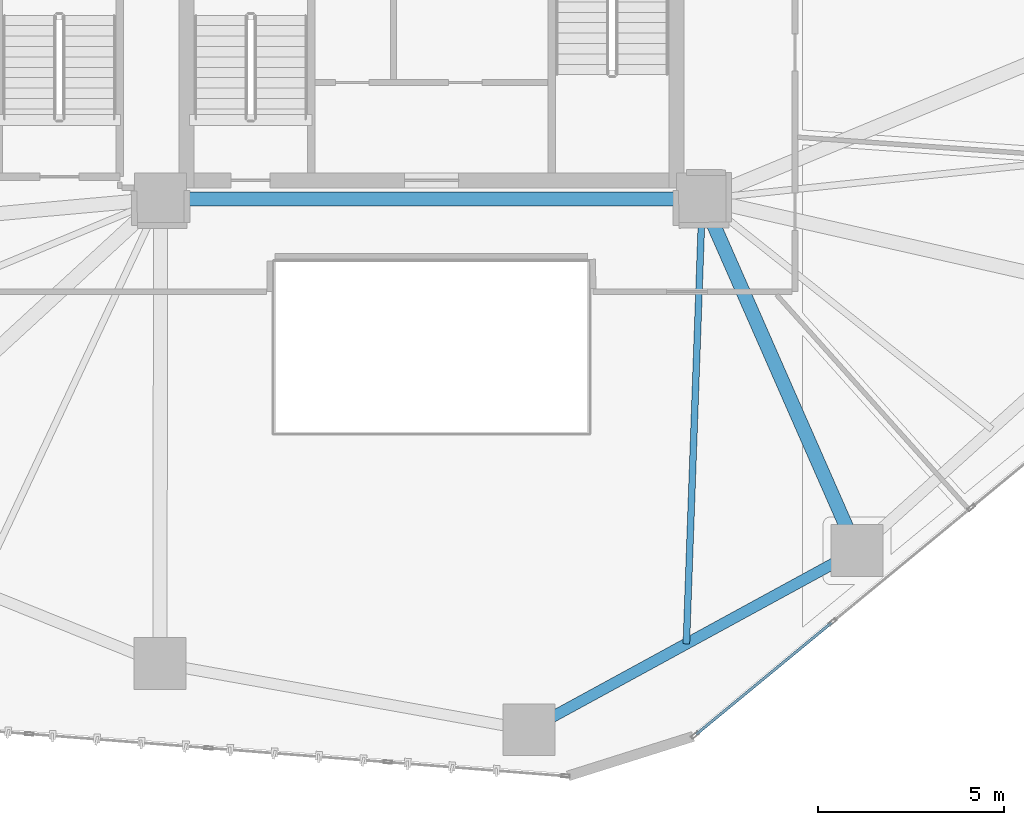
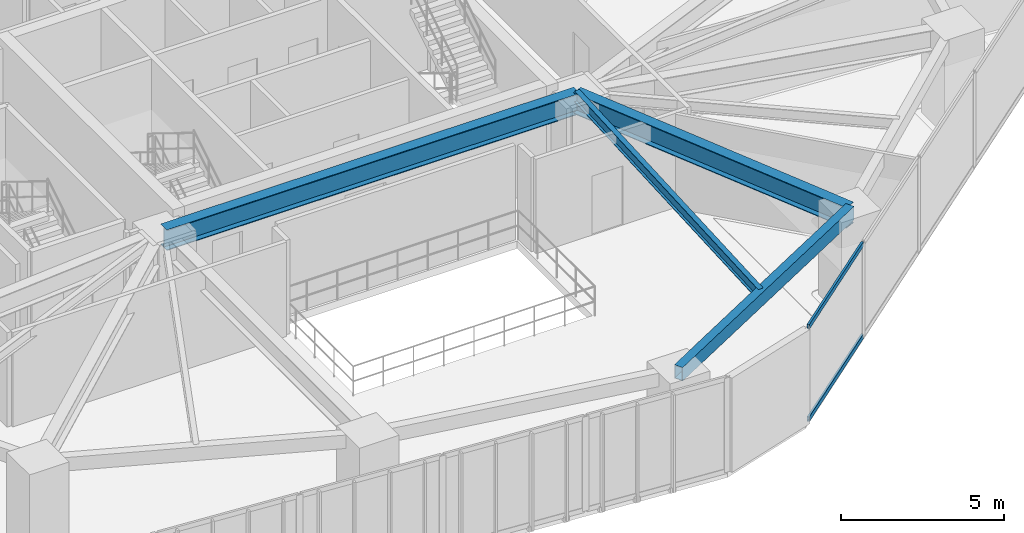
# One storey, part 6 of 23: 4 beams, 2 members, 1 element without a shape of its own.
"""IFC4 building model written with IfcOpenShell, lengths in metres."""

import ifcopenshell
import ifcopenshell.guid

model = None  # the IFC model being written
_history = None  # IfcOwnerHistory: only IFC2X3 demands one
_inside = {}  # id of a spatial element -> (the spatial element, [elements in it])
_under = {}  # id of a project, library or spatial element -> (it, [spatial elements below it])
_declared = {}  # id of a project -> (the project, [libraries it declares])
_typed = {}  # id of a type object -> (the type object, [elements of that type])
_made_of = {}  # id of a material, layer set ... -> (it, [elements and type objects made of it])


def new_model(schema):
    """Start an empty IFC model of exactly this schema.

    Asked for "IFC4X3", IfcOpenShell would pick the latest addendum, in which some entities
    have other attributes; the version numbers below select the first issue.
    IFC2X3 requires an IfcOwnerHistory on every rooted entity: one is made here for all.
    """
    global model, _history
    if schema == "IFC4X3":
        model = ifcopenshell.file(schema_version=(4, 3, 0, 0))
    else:
        model = ifcopenshell.file(schema=schema)
    _inside.clear()
    _under.clear()
    _declared.clear()
    _typed.clear()
    _made_of.clear()
    _history = None
    if model.schema == "IFC2X3":
        org = make("IfcOrganization", Name="unknown")
        user = make(
            "IfcPersonAndOrganization",
            ThePerson=make("IfcPerson", FamilyName="unknown"),
            TheOrganization=org,
        )
        app = make(
            "IfcApplication",
            ApplicationDeveloper=org,
            Version="unknown",
            ApplicationFullName="unknown",
            ApplicationIdentifier="unknown",
        )
        _history = make(
            "IfcOwnerHistory",
            OwningUser=user,
            OwningApplication=app,
            ChangeAction="ADDED",
            CreationDate=0,
        )
    return model


def make(cls, **values):
    """One entity of the class cls with the attributes given. An attribute that is None is left unset."""
    return model.create_entity(
        cls, **{name: value for name, value in values.items() if value is not None}
    )


def rooted(cls, **values):
    """An entity with a GlobalId (a new one), such as an element, a storey or a relation."""
    return make(cls, GlobalId=ifcopenshell.guid.new(), OwnerHistory=_history, **values)


def si_unit(unit_type, name, prefix=None):
    """IfcSIUnit, for example si_unit("LENGTHUNIT", "METRE", prefix="MILLI")."""
    return make("IfcSIUnit", UnitType=unit_type, Prefix=prefix, Name=name)


def assignment(units):
    """IfcUnitAssignment: the units of a project."""
    return None if units is None else make("IfcUnitAssignment", Units=units)


def point(xyz):
    """IfcCartesianPoint."""
    return None if xyz is None else make("IfcCartesianPoint", Coordinates=xyz)


def direction(xyz):
    """IfcDirection."""
    return None if xyz is None else make("IfcDirection", DirectionRatios=xyz)


def frame(location, z_axis=None, x_axis=None):
    """IfcAxis2Placement3D, a coordinate frame: its origin and axes. An axis left out is left unset."""
    return make(
        "IfcAxis2Placement3D",
        Location=point(location),
        Axis=direction(z_axis),
        RefDirection=direction(x_axis),
    )


def frame_2d(location, x_axis=None):
    """IfcAxis2Placement2D, a coordinate frame in the plane: its origin and x axis."""
    return make(
        "IfcAxis2Placement2D", Location=point(location), RefDirection=direction(x_axis)
    )


def origin():
    """The frame at (0, 0, 0) with its axes left unset."""
    return frame((0.0, 0.0, 0.0))


def origin_2d():
    """The frame at (0, 0) in the plane with its x axis left unset."""
    return frame_2d((0.0, 0.0))


def place(relative_to, where):
    """IfcLocalPlacement: puts the frame where relative to a parent placement (None: the world)."""
    return make(
        "IfcLocalPlacement", PlacementRelTo=relative_to, RelativePlacement=where
    )


def context(
    kind, dimensions, precision=None, world=None, true_north=None, identifier=None
):
    """IfcGeometricRepresentationContext, for example the 3D "Model" context."""
    return make(
        "IfcGeometricRepresentationContext",
        ContextIdentifier=identifier,
        ContextType=kind,
        CoordinateSpaceDimension=dimensions,
        Precision=precision,
        WorldCoordinateSystem=world,
        TrueNorth=true_north,
    )


def subcontext(parent, identifier, kind, view, scale=None):
    """IfcGeometricRepresentationSubContext, for example "Body" below "Model"."""
    return make(
        "IfcGeometricRepresentationSubContext",
        ContextIdentifier=identifier,
        ContextType=kind,
        ParentContext=parent,
        TargetScale=scale,
        TargetView=view,
    )


def project(units=None, contexts=None):
    """IfcProject with its units and contexts."""
    return rooted(
        "IfcProject",
        Name="project",
        RepresentationContexts=contexts,
        UnitsInContext=assignment(units),
    )


def spatial(cls, under=None, at=None, **own):
    """A site, building, storey or space (cls), placed at a placement, below another one or the project."""
    s = rooted(cls, ObjectPlacement=at, **own)
    if under is not None:
        _under.setdefault(under.id(), (under, []))[1].append(s)
    return s


def profile(cls, at=None, kind="AREA", **sizes):
    """A parametric profile (cls). Its sizes go by their IFC names, for example OverallWidth=200.0."""
    return make(cls, ProfileType=kind, Position=at, **sizes)


def hollow_rectangle(**sizes):
    """IfcRectangleHollowProfileDef."""
    return profile("IfcRectangleHollowProfileDef", **sizes)


def i_section(**sizes):
    """IfcIShapeProfileDef."""
    return profile("IfcIShapeProfileDef", **sizes)


def extrude(swept, where, along, depth):
    """IfcExtrudedAreaSolid: the profile swept, set in the frame where, extruded along a direction by depth."""
    return make(
        "IfcExtrudedAreaSolid",
        SweptArea=swept,
        Position=where,
        ExtrudedDirection=direction(along),
        Depth=depth,
    )


def shape(context_of_items, identifier, shape_type, items):
    """IfcShapeRepresentation: the items that make up one representation, for example the "Body"."""
    return make(
        "IfcShapeRepresentation",
        ContextOfItems=context_of_items,
        RepresentationIdentifier=identifier,
        RepresentationType=shape_type,
        Items=items,
    )


def source(mapping_origin, context_of_items, identifier, shape_type, items):
    """IfcRepresentationMap: a shape defined once, which mapped items show again and again."""
    return make(
        "IfcRepresentationMap",
        MappingOrigin=mapping_origin,
        MappedRepresentation=shape(context_of_items, identifier, shape_type, items),
    )


def transform(
    local_origin,
    x_axis=None,
    y_axis=None,
    z_axis=None,
    scale=None,
    scale2=None,
    scale3=None,
    uniform=True,
):
    """IfcCartesianTransformationOperator3D, or its non-uniform kind. x_axis, y_axis, z_axis: its Axis1, 2, 3."""
    if uniform:
        return make(
            "IfcCartesianTransformationOperator3D",
            Axis1=direction(x_axis),
            Axis2=direction(y_axis),
            LocalOrigin=point(local_origin),
            Scale=scale,
            Axis3=direction(z_axis),
        )
    return make(
        "IfcCartesianTransformationOperator3DnonUniform",
        Axis1=direction(x_axis),
        Axis2=direction(y_axis),
        LocalOrigin=point(local_origin),
        Scale=scale,
        Axis3=direction(z_axis),
        Scale2=scale2,
        Scale3=scale3,
    )


def mapped(mapping_source, mapping_target):
    """IfcMappedItem: shows the shape of a source again, moved by a transform."""
    return make(
        "IfcMappedItem", MappingSource=mapping_source, MappingTarget=mapping_target
    )


def material(Name=None, Category=None):
    """IfcMaterial."""
    return make("IfcMaterial", Name=Name, Category=Category)


def layer(
    of_material, thickness, ventilated=None, Name=None, Category=None, Priority=None
):
    """IfcMaterialLayer: one layer of a wall or slab, of a material (None: an air gap)."""
    return make(
        "IfcMaterialLayer",
        Material=of_material,
        LayerThickness=thickness,
        IsVentilated=ventilated,
        Name=Name,
        Category=Category,
        Priority=Priority,
    )


def layer_set(layers, Name=None):
    """IfcMaterialLayerSet."""
    return make("IfcMaterialLayerSet", MaterialLayers=layers, LayerSetName=Name)


def material_profile(
    of_material, cross_section, Name=None, Category=None, Priority=None
):
    """IfcMaterialProfile: a cross section and its material."""
    return make(
        "IfcMaterialProfile",
        Name=Name,
        Material=of_material,
        Profile=cross_section,
        Priority=Priority,
        Category=Category,
    )


def profile_set(profiles, Name=None, composite=None):
    """IfcMaterialProfileSet."""
    return make(
        "IfcMaterialProfileSet",
        Name=Name,
        MaterialProfiles=profiles,
        CompositeProfile=composite,
    )


def made_of(thing, what):
    """Note that an element or type object is made of a material, layer set ...; save() writes the relation."""
    if what is not None:
        _made_of.setdefault(what.id(), (what, []))[1].append(thing)
    return thing


def type_object(cls, material=None, **own):
    """A type object (cls), such as IfcWallType, which elements share."""
    return made_of(rooted(cls, **own), material)


def type_shapes(of_type, sources):
    """Give a type object the sources (RepresentationMaps) that its elements show as mapped items."""
    of_type.RepresentationMaps = sources


def element(
    cls,
    number,
    at=None,
    inside=None,
    cuts=None,
    type_object=None,
    material=None,
    context=None,
    identifier="Body",
    shape_type=None,
    held_by="IfcProductDefinitionShape",
    body=None,
    shapes=None,
    **own,
):
    """One element of the class cls, such as IfcWall. Its Tag is "e" and its number.

    at: its placement. inside: the storey or other place that contains it. cuts: it is an
    opening in that element (IfcRelVoidsElement). A single representation is given by context,
    identifier, shape_type and body (its items); several are given by shapes. held_by: the class
    of the entity that holds the representations. save() writes the other relations.
    """
    e = rooted(cls, Tag="e%d" % number, ObjectPlacement=at, **own)
    if body is not None:
        shapes = [shape(context, identifier, shape_type, body)]
    if shapes is not None:
        e.Representation = make(held_by, Representations=shapes)
    if inside is not None:
        _inside.setdefault(inside.id(), (inside, []))[1].append(e)
    if cuts is not None:
        rooted(
            "IfcRelVoidsElement", RelatingBuildingElement=cuts, RelatedOpeningElement=e
        )
    if type_object is not None:
        _typed.setdefault(type_object.id(), (type_object, []))[1].append(e)
    return made_of(e, material)


def aggregate(whole, parts):
    """IfcRelAggregates: a whole, such as a stair, and the parts it consists of."""
    return rooted("IfcRelAggregates", RelatingObject=whole, RelatedObjects=parts)


def save(model, path):
    """Write the relations noted so far, then the file.

    IfcRelAggregates (storeys below a building ...), IfcRelContainedInSpatialStructure (elements
    in a storey), IfcRelDefinesByType, IfcRelAssociatesMaterial and IfcRelDeclares: one each for
    every whole, place, type object, material and project.
    """
    for whole, parts in _under.values():
        aggregate(whole, parts)
    for where, things in _inside.values():
        rooted(
            "IfcRelContainedInSpatialStructure",
            RelatedElements=things,
            RelatingStructure=where,
        )
    for kind, things in _typed.values():
        rooted("IfcRelDefinesByType", RelatedObjects=things, RelatingType=kind)
    for what, things in _made_of.values():
        rooted("IfcRelAssociatesMaterial", RelatedObjects=things, RelatingMaterial=what)
    for by, libraries in _declared.values():
        rooted("IfcRelDeclares", RelatingContext=by, RelatedDefinitions=libraries)
    model.write(path)


model = new_model("IFC4")

# Units and contexts
model_context = context("Model", 3, precision=1e-05, world=origin(), true_north=direction((0.0, 1.0)))
body_context = subcontext(model_context, "Body", "Model", "MODEL_VIEW")
ifc_project = project(units=[si_unit("LENGTHUNIT", "METRE"), si_unit("AREAUNIT", "SQUARE_METRE"), si_unit("VOLUMEUNIT", "CUBIC_METRE"), si_unit("PLANEANGLEUNIT", "RADIAN"), si_unit("MASSUNIT", "GRAM", prefix="KILO")], contexts=[model_context])

# Site, building, storey
site_placement = place(None, origin())
site = spatial("IfcSite", under=ifc_project, at=site_placement, CompositionType="ELEMENT")
building_placement = place(site_placement, origin())
building = spatial("IfcBuilding", under=site, at=building_placement, Name="Talar Marvaseh", CompositionType="ELEMENT")
storey_placement = place(building_placement, frame((0.0, 0.0, 77.199951171875)))
storey = spatial("IfcBuildingStorey", under=building, at=storey_placement, Name="L19", CompositionType="ELEMENT", Elevation=77.199951171875)

# Beams
ifc_material_1 = material(Name="Steel S355", Category="steel")
ifc_material_profile_1 = material_profile(ifc_material_1, hollow_rectangle(XDim=0.300048828125, YDim=0.5, WallThickness=0.02001953125, at=origin_2d()), Name="RHS500x300x20")
ifc_profile_set_1 = profile_set([ifc_material_profile_1], Name="Steel S355")
beam_type_1 = type_object("IfcBeamType", Name="Zone 1 Perimeter Spandrel Beam RHS500x300x20", PredefinedType="SPANDREL", material=ifc_profile_set_1)
beam_1_placement = place(storey_placement, frame((37.468017578125, 16.02099609375, 3.27001953125), z_axis=(-0.877792749602, -0.47904059196, 0.0), x_axis=(0.47904059196, -0.877792749602, 0.0)))
element("IfcBeam", 1, at=beam_1_placement, inside=storey, type_object=beam_type_1, Name="L19 Zone 1 Perimeter Spandrel Beam RHS500x300x20", PredefinedType="SPANDREL", context=body_context, shape_type="SweptSolid", body=[
    extrude(hollow_rectangle(XDim=0.300048828125, YDim=0.5, WallThickness=0.02001953125, at=origin_2d()), origin(), (0.0, 0.0, 1.0), 10.07421875),
])
ifc_material_profile_2 = material_profile(ifc_material_1, i_section(OverallWidth=0.381103515625, OverallDepth=0.77294921875, WebThickness=0.0166015625, FlangeThickness=0.027099609375, at=origin_2d()), Name="W760x257")
ifc_profile_set_2 = profile_set([ifc_material_profile_2], Name="Steel S355")
beam_type_2 = type_object("IfcBeamType", Name="Zone 1 Radial Floor Girder W760x257", PredefinedType="BEAM", material=ifc_profile_set_2)
beam_2_placement = place(storey_placement, frame((18.699951171875, 25.5, 3.133544921875), z_axis=(1.0, 0.0, 0.0), x_axis=(0.0, 1.0, 0.0)))
element("IfcBeam", 2, at=beam_2_placement, inside=storey, type_object=beam_type_2, Name="L19 Zone 1 Radial Floor Girder W760x257", PredefinedType="BEAM", context=body_context, shape_type="SweptSolid", body=[
    extrude(i_section(OverallWidth=0.381103515625, OverallDepth=0.77294921875, WebThickness=0.0166015625, FlangeThickness=0.027099609375, at=origin_2d()), origin(), (0.0, 0.0, 1.0), 14.60009765625),
])
beam_3_placement = place(storey_placement, frame((37.468017578125, 16.02099609375, 3.133544921875), z_axis=(-0.402512625991, 0.915414433969, 0.0), x_axis=(-0.915414433969, -0.402512625991, 0.0)))
element("IfcBeam", 3, at=beam_3_placement, inside=storey, type_object=beam_type_2, Name="L19 Zone 1 Radial Floor Girder W760x257", PredefinedType="BEAM", context=body_context, shape_type="SweptSolid", body=[
    extrude(i_section(OverallWidth=0.381103515625, OverallDepth=0.77294921875, WebThickness=0.0166015625, FlangeThickness=0.027099609375, at=origin_2d()), origin(), (0.0, 0.0, 1.0), 10.35498046875),
])
ifc_material_profile_3 = material_profile(ifc_material_1, i_section(OverallWidth=0.179931640625, OverallDepth=0.4130859375, WebThickness=0.009765625, FlangeThickness=0.01611328125, at=origin_2d()), Name="W410x75")
ifc_profile_set_3 = profile_set([ifc_material_profile_3], Name="Steel S355")
beam_type_3 = type_object("IfcBeamType", Name="Zone 1 Secondary Floor Joist W410x75", PredefinedType="JOIST", material=ifc_profile_set_3)
beam_4_placement = place(storey_placement, frame((32.86962890625, 13.511474609375, 3.3134765625), z_axis=(0.035879540639, 0.999356121992, 0.0), x_axis=(-0.999356121992, 0.035879540639, 0.0)))
element("IfcBeam", 4, at=beam_4_placement, inside=storey, type_object=beam_type_3, Name="L19 Zone 1 Secondary Floor Joist W410x75", PredefinedType="JOIST", context=body_context, shape_type="SweptSolid", body=[
    extrude(i_section(OverallWidth=0.179931640625, OverallDepth=0.4130859375, WebThickness=0.009765625, FlangeThickness=0.01611328125, at=origin_2d()), origin(), (0.0, 0.0, 1.0), 11.996337890625),
])

# Curtain wall, members
ifc_material_2 = material(Name="Architectural Aluminium", Category="aluminium")
ifc_layer = layer(ifc_material_2, 0.219970703125)
ifc_layer_set = layer_set([ifc_layer], Name="Architectural Aluminium")
curtain_wall_type = type_object("IfcCurtainWallType", Name="Unitised Low-E Museum Curtain Wall Z1", PredefinedType="NOTDEFINED", material=ifc_layer_set)
curtain_wall_placement = place(storey_placement, origin())
curtain_wall = element("IfcCurtainWall", 5, at=curtain_wall_placement, inside=storey, type_object=curtain_wall_type, Name="L19 Unitised Low-E Museum Curtain Wall Z1", PredefinedType="NOTDEFINED")
ifc_material_profile_4 = material_profile(ifc_material_2, hollow_rectangle(XDim=0.074951171875, YDim=0.179931640625, WallThickness=0.0048828125, at=origin_2d()), Name="RHS180x75x5")
ifc_profile_set_4 = profile_set([ifc_material_profile_4], Name="Architectural Aluminium")
member_type = type_object("IfcMemberType", Name="Unitised Curtain Wall Transom RHS180x75x5", PredefinedType="USERDEFINED", material=ifc_profile_set_4)
shared_shape = source(origin(), body_context, "Body", "SweptSolid", [
    extrude(hollow_rectangle(XDim=0.074951171875, YDim=0.179931640625, WallThickness=0.0048828125, at=origin_2d()), origin(), (0.0, 0.0, 1.0), 4.72509765625),
])
type_shapes(member_type, [shared_shape])
member_1_placement = place(storey_placement, frame((36.781005859375, 14.07861328125, 0.03759765625), z_axis=(-0.771707964308, -0.635977057624, 0.0), x_axis=(0.635977057624, -0.771707964308, 0.0)))
member_1 = element("IfcMember", 6, at=member_1_placement, type_object=member_type, Name="CW-Z1 transom 5.1", ObjectType="TRANSOM", PredefinedType="USERDEFINED", context=body_context, shape_type="MappedRepresentation", body=[
    mapped(shared_shape, transform((0.0, 0.0, 0.0), x_axis=(1.0, 0.0, 0.0), y_axis=(0.0, 1.0, 0.0), z_axis=(0.0, 0.0, 1.0), scale=1.0)),
])
member_2_placement = place(storey_placement, frame((36.781005859375, 14.07861328125, 3.482666015625), z_axis=(-0.771707964308, -0.635977057624, 0.0), x_axis=(0.635977057624, -0.771707964308, 0.0)))
member_2 = element("IfcMember", 7, at=member_2_placement, type_object=member_type, Name="CW-Z1 transom 5.2", ObjectType="TRANSOM", PredefinedType="USERDEFINED", context=body_context, shape_type="MappedRepresentation", body=[
    mapped(shared_shape, transform((0.0, 0.0, 0.0), x_axis=(1.0, 0.0, 0.0), y_axis=(0.0, 1.0, 0.0), z_axis=(0.0, 0.0, 1.0), scale=1.0)),
])
aggregate(curtain_wall, [member_1, member_2])

save(model, "model.ifc")
